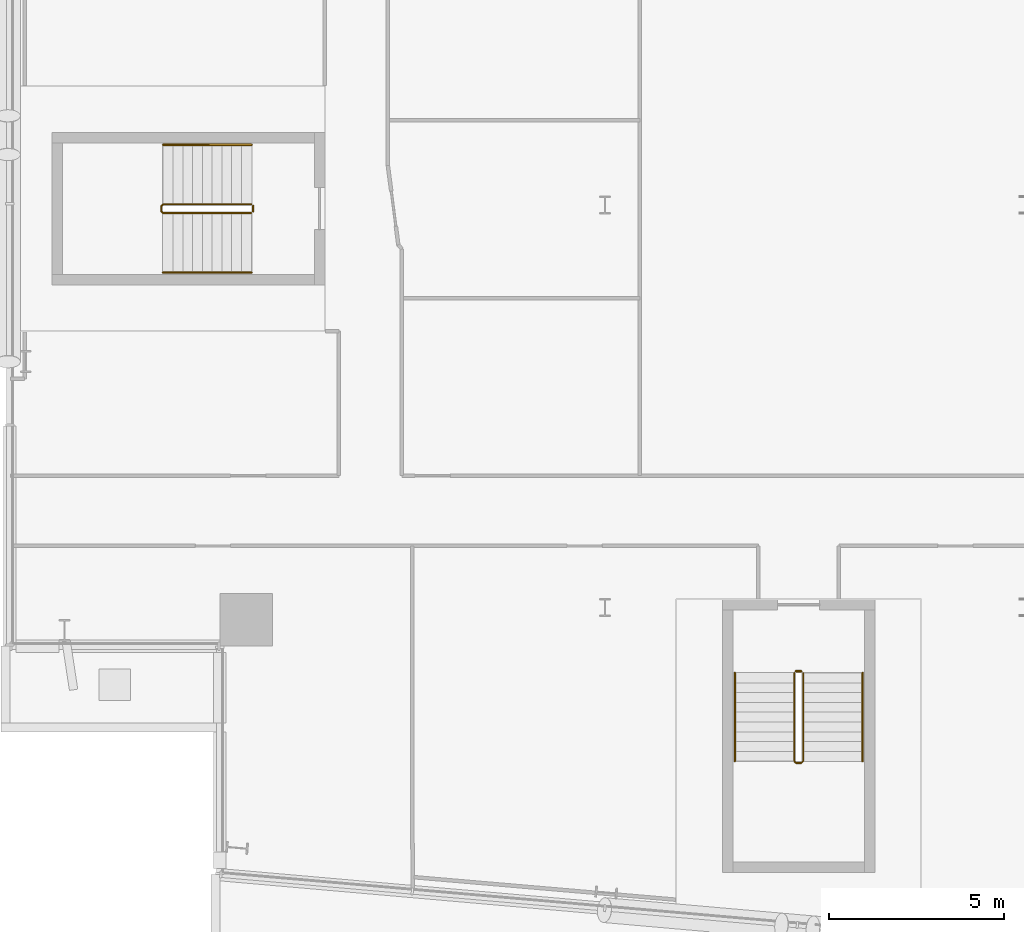
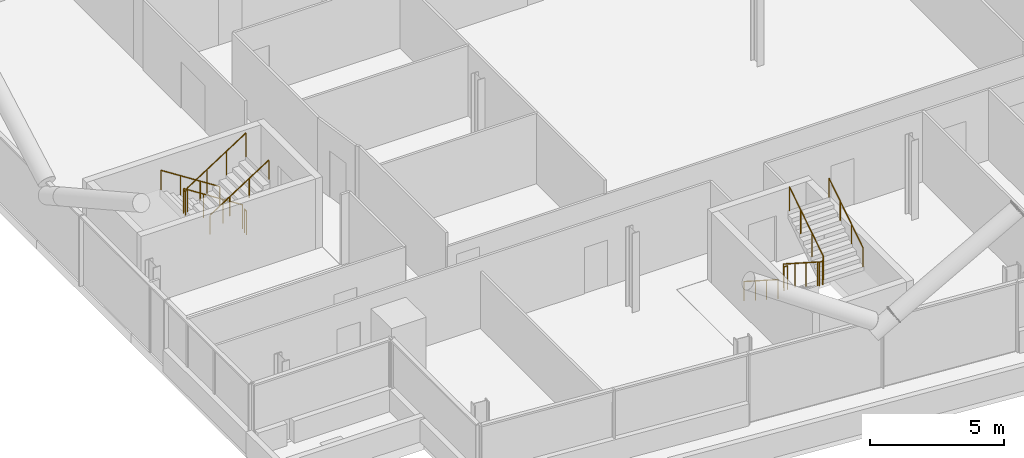
# One storey, part 27 of 30: 8 railings.
"""IFC4 building model written with IfcOpenShell, lengths in metres."""

import ifcopenshell
import ifcopenshell.guid

model = None  # the IFC model being written
_history = None  # IfcOwnerHistory: only IFC2X3 demands one
_inside = {}  # id of a spatial element -> (the spatial element, [elements in it])
_under = {}  # id of a project, library or spatial element -> (it, [spatial elements below it])
_declared = {}  # id of a project -> (the project, [libraries it declares])
_typed = {}  # id of a type object -> (the type object, [elements of that type])
_made_of = {}  # id of a material, layer set ... -> (it, [elements and type objects made of it])


def new_model(schema):
    """Start an empty IFC model of exactly this schema.

    Asked for "IFC4X3", IfcOpenShell would pick the latest addendum, in which some entities
    have other attributes; the version numbers below select the first issue.
    IFC2X3 requires an IfcOwnerHistory on every rooted entity: one is made here for all.
    """
    global model, _history
    if schema == "IFC4X3":
        model = ifcopenshell.file(schema_version=(4, 3, 0, 0))
    else:
        model = ifcopenshell.file(schema=schema)
    _inside.clear()
    _under.clear()
    _declared.clear()
    _typed.clear()
    _made_of.clear()
    _history = None
    if model.schema == "IFC2X3":
        org = make("IfcOrganization", Name="unknown")
        user = make(
            "IfcPersonAndOrganization",
            ThePerson=make("IfcPerson", FamilyName="unknown"),
            TheOrganization=org,
        )
        app = make(
            "IfcApplication",
            ApplicationDeveloper=org,
            Version="unknown",
            ApplicationFullName="unknown",
            ApplicationIdentifier="unknown",
        )
        _history = make(
            "IfcOwnerHistory",
            OwningUser=user,
            OwningApplication=app,
            ChangeAction="ADDED",
            CreationDate=0,
        )
    return model


def make(cls, **values):
    """One entity of the class cls with the attributes given. An attribute that is None is left unset."""
    return model.create_entity(
        cls, **{name: value for name, value in values.items() if value is not None}
    )


def rooted(cls, **values):
    """An entity with a GlobalId (a new one), such as an element, a storey or a relation."""
    return make(cls, GlobalId=ifcopenshell.guid.new(), OwnerHistory=_history, **values)


def si_unit(unit_type, name, prefix=None):
    """IfcSIUnit, for example si_unit("LENGTHUNIT", "METRE", prefix="MILLI")."""
    return make("IfcSIUnit", UnitType=unit_type, Prefix=prefix, Name=name)


def assignment(units):
    """IfcUnitAssignment: the units of a project."""
    return None if units is None else make("IfcUnitAssignment", Units=units)


def point(xyz):
    """IfcCartesianPoint."""
    return None if xyz is None else make("IfcCartesianPoint", Coordinates=xyz)


def direction(xyz):
    """IfcDirection."""
    return None if xyz is None else make("IfcDirection", DirectionRatios=xyz)


def frame(location, z_axis=None, x_axis=None):
    """IfcAxis2Placement3D, a coordinate frame: its origin and axes. An axis left out is left unset."""
    return make(
        "IfcAxis2Placement3D",
        Location=point(location),
        Axis=direction(z_axis),
        RefDirection=direction(x_axis),
    )


def frame_2d(location, x_axis=None):
    """IfcAxis2Placement2D, a coordinate frame in the plane: its origin and x axis."""
    return make(
        "IfcAxis2Placement2D", Location=point(location), RefDirection=direction(x_axis)
    )


def origin():
    """The frame at (0, 0, 0) with its axes left unset."""
    return frame((0.0, 0.0, 0.0))


def origin_2d():
    """The frame at (0, 0) in the plane with its x axis left unset."""
    return frame_2d((0.0, 0.0))


def place(relative_to, where):
    """IfcLocalPlacement: puts the frame where relative to a parent placement (None: the world)."""
    return make(
        "IfcLocalPlacement", PlacementRelTo=relative_to, RelativePlacement=where
    )


def context(
    kind, dimensions, precision=None, world=None, true_north=None, identifier=None
):
    """IfcGeometricRepresentationContext, for example the 3D "Model" context."""
    return make(
        "IfcGeometricRepresentationContext",
        ContextIdentifier=identifier,
        ContextType=kind,
        CoordinateSpaceDimension=dimensions,
        Precision=precision,
        WorldCoordinateSystem=world,
        TrueNorth=true_north,
    )


def subcontext(parent, identifier, kind, view, scale=None):
    """IfcGeometricRepresentationSubContext, for example "Body" below "Model"."""
    return make(
        "IfcGeometricRepresentationSubContext",
        ContextIdentifier=identifier,
        ContextType=kind,
        ParentContext=parent,
        TargetScale=scale,
        TargetView=view,
    )


def project(units=None, contexts=None):
    """IfcProject with its units and contexts."""
    return rooted(
        "IfcProject",
        Name="project",
        RepresentationContexts=contexts,
        UnitsInContext=assignment(units),
    )


def spatial(cls, under=None, at=None, **own):
    """A site, building, storey or space (cls), placed at a placement, below another one or the project."""
    s = rooted(cls, ObjectPlacement=at, **own)
    if under is not None:
        _under.setdefault(under.id(), (under, []))[1].append(s)
    return s


def profile(cls, at=None, kind="AREA", **sizes):
    """A parametric profile (cls). Its sizes go by their IFC names, for example OverallWidth=200.0."""
    return make(cls, ProfileType=kind, Position=at, **sizes)


def circle(**sizes):
    """IfcCircleProfileDef."""
    return profile("IfcCircleProfileDef", **sizes)


def extrude(swept, where, along, depth):
    """IfcExtrudedAreaSolid: the profile swept, set in the frame where, extruded along a direction by depth."""
    return make(
        "IfcExtrudedAreaSolid",
        SweptArea=swept,
        Position=where,
        ExtrudedDirection=direction(along),
        Depth=depth,
    )


def shape(context_of_items, identifier, shape_type, items):
    """IfcShapeRepresentation: the items that make up one representation, for example the "Body"."""
    return make(
        "IfcShapeRepresentation",
        ContextOfItems=context_of_items,
        RepresentationIdentifier=identifier,
        RepresentationType=shape_type,
        Items=items,
    )


def material(Name=None, Category=None):
    """IfcMaterial."""
    return make("IfcMaterial", Name=Name, Category=Category)


def made_of(thing, what):
    """Note that an element or type object is made of a material, layer set ...; save() writes the relation."""
    if what is not None:
        _made_of.setdefault(what.id(), (what, []))[1].append(thing)
    return thing


def type_object(cls, material=None, **own):
    """A type object (cls), such as IfcWallType, which elements share."""
    return made_of(rooted(cls, **own), material)


def element(
    cls,
    number,
    at=None,
    inside=None,
    cuts=None,
    type_object=None,
    material=None,
    context=None,
    identifier="Body",
    shape_type=None,
    held_by="IfcProductDefinitionShape",
    body=None,
    shapes=None,
    **own,
):
    """One element of the class cls, such as IfcWall. Its Tag is "e" and its number.

    at: its placement. inside: the storey or other place that contains it. cuts: it is an
    opening in that element (IfcRelVoidsElement). A single representation is given by context,
    identifier, shape_type and body (its items); several are given by shapes. held_by: the class
    of the entity that holds the representations. save() writes the other relations.
    """
    e = rooted(cls, Tag="e%d" % number, ObjectPlacement=at, **own)
    if body is not None:
        shapes = [shape(context, identifier, shape_type, body)]
    if shapes is not None:
        e.Representation = make(held_by, Representations=shapes)
    if inside is not None:
        _inside.setdefault(inside.id(), (inside, []))[1].append(e)
    if cuts is not None:
        rooted(
            "IfcRelVoidsElement", RelatingBuildingElement=cuts, RelatedOpeningElement=e
        )
    if type_object is not None:
        _typed.setdefault(type_object.id(), (type_object, []))[1].append(e)
    return made_of(e, material)


def aggregate(whole, parts):
    """IfcRelAggregates: a whole, such as a stair, and the parts it consists of."""
    return rooted("IfcRelAggregates", RelatingObject=whole, RelatedObjects=parts)


def save(model, path):
    """Write the relations noted so far, then the file.

    IfcRelAggregates (storeys below a building ...), IfcRelContainedInSpatialStructure (elements
    in a storey), IfcRelDefinesByType, IfcRelAssociatesMaterial and IfcRelDeclares: one each for
    every whole, place, type object, material and project.
    """
    for whole, parts in _under.values():
        aggregate(whole, parts)
    for where, things in _inside.values():
        rooted(
            "IfcRelContainedInSpatialStructure",
            RelatedElements=things,
            RelatingStructure=where,
        )
    for kind, things in _typed.values():
        rooted("IfcRelDefinesByType", RelatedObjects=things, RelatingType=kind)
    for what, things in _made_of.values():
        rooted("IfcRelAssociatesMaterial", RelatedObjects=things, RelatingMaterial=what)
    for by, libraries in _declared.values():
        rooted("IfcRelDeclares", RelatingContext=by, RelatedDefinitions=libraries)
    model.write(path)


model = new_model("IFC4")

# Units and contexts
model_context = context("Model", 3, precision=1e-05, world=origin(), true_north=direction((0.0, 1.0)))
body_context = subcontext(model_context, "Body", "Model", "MODEL_VIEW")
ifc_project = project(units=[si_unit("LENGTHUNIT", "METRE"), si_unit("AREAUNIT", "SQUARE_METRE"), si_unit("VOLUMEUNIT", "CUBIC_METRE"), si_unit("PLANEANGLEUNIT", "RADIAN"), si_unit("MASSUNIT", "GRAM", prefix="KILO")], contexts=[model_context])

# Site, building, storey
site_placement = place(None, origin())
site = spatial("IfcSite", under=ifc_project, at=site_placement, CompositionType="ELEMENT")
building_placement = place(site_placement, origin())
building = spatial("IfcBuilding", under=site, at=building_placement, Name="Wharfspan Tower", CompositionType="ELEMENT")
storey_placement = place(building_placement, frame((0.0, 0.0, 151.899902)))
storey = spatial("IfcBuildingStorey", under=building, at=storey_placement, Name="L36", CompositionType="ELEMENT", Elevation=151.899902)

# Railings
ifc_material = material(Name="Steel S355J2", Category="steel")
railing_type_1 = type_object("IfcRailingType", Name="Stair guard 1100", PredefinedType="GUARDRAIL", material=ifc_material)
railing_1_placement = place(storey_placement, frame((13.899902, 23.024902, 0.180176)))
element("IfcRailing", 1, at=railing_1_placement, inside=storey, type_object=railing_type_1, Name="L36 ST3 stair guard 1", PredefinedType="GUARDRAIL", context=body_context, shape_type="SweptSolid", body=[
    extrude(circle(Radius=0.023926, at=origin_2d()), frame((0.0, 0.0, 1.076172), z_axis=(-0.8412, 0.0, 0.540725), x_axis=(0.0, -1.0, 0.0)), (0.0, 0.0, 1.0), 2.99585),
    extrude(circle(Radius=0.023926, at=origin_2d()), frame((-2.52002, 0.0, 2.695801), z_axis=(-0.707107, -0.707107, 0.0), x_axis=(0.707107, -0.707107, 0.0)), (0.0, 0.0, 1.0), 0.070312),
    extrude(circle(Radius=0.023926, at=origin_2d()), frame((-2.569824, -0.049805, 2.695801), z_axis=(0.0, -1.0, 0.0), x_axis=(1.0, 0.0, 0.0)), (0.0, 0.0, 1.0), 0.150146),
    extrude(circle(Radius=0.023926, at=origin_2d()), frame((-2.569824, -0.199951, 2.695801), z_axis=(0.257669, -0.258932, 0.930892), x_axis=(0.708833, 0.705372, -1e-06)), (0.0, 0.0, 1.0), 0.193359),
    extrude(circle(Radius=0.023926, at=origin_2d()), frame((-2.52002, -0.25, 2.875977), z_axis=(0.841163, 0.0, 0.540782), x_axis=(0.0, 1.0, 0.0)), (0.0, 0.0, 1.0), 2.99585),
    extrude(circle(Radius=0.020996, at=origin_2d()), origin(), (0.0, 0.0, 1.0), 1.052002),
    extrude(circle(Radius=0.020996, at=origin_2d()), frame((-0.840088, 0.0, 0.540039)), (0.0, 0.0, 1.0), 1.052002),
    extrude(circle(Radius=0.020996, at=origin_2d()), frame((-1.679932, 0.0, 1.079834)), (0.0, 0.0, 1.0), 1.052002),
    extrude(circle(Radius=0.020996, at=origin_2d()), frame((-2.52002, 0.0, 1.619873)), (0.0, 0.0, 1.0), 1.052002),
    extrude(circle(Radius=0.020996, at=origin_2d()), frame((-2.569824, -0.049805, 1.619873)), (0.0, 0.0, 1.0), 1.052002),
    extrude(circle(Radius=0.020996, at=origin_2d()), frame((-2.569824, -0.199951, 1.619873)), (0.0, 0.0, 1.0), 1.052002),
    extrude(circle(Radius=0.020996, at=origin_2d()), frame((-2.52002, -0.25, 1.799805)), (0.0, 0.0, 1.0), 1.052002),
    extrude(circle(Radius=0.020996, at=origin_2d()), frame((-1.679932, -0.25, 2.339844)), (0.0, 0.0, 1.0), 1.052002),
    extrude(circle(Radius=0.020996, at=origin_2d()), frame((-0.840088, -0.25, 2.879883)), (0.0, 0.0, 1.0), 1.052002),
    extrude(circle(Radius=0.020996, at=origin_2d()), frame((0.0, -0.25, 3.419922)), (0.0, 0.0, 1.0), 1.052002),
])
railing_2_placement = place(storey_placement, frame((13.949951, 22.975098, 0.0)))
element("IfcRailing", 2, at=railing_2_placement, inside=storey, type_object=railing_type_1, Name="L36 ST3 stair guard 2", PredefinedType="GUARDRAIL", context=body_context, shape_type="SweptSolid", body=[
    extrude(circle(Radius=0.023926, at=origin_2d()), frame((0.0, 0.0, 1.076172), z_axis=(0.0, -1.0, 0.0), x_axis=(1.0, 0.0, 0.0)), (0.0, 0.0, 1.0), 0.150146),
    extrude(circle(Radius=0.020996, at=origin_2d()), origin(), (0.0, 0.0, 1.0), 1.052002),
    extrude(circle(Radius=0.020996, at=origin_2d()), frame((0.0, -0.150146, 0.0)), (0.0, 0.0, 1.0), 1.052002),
])
railing_3_placement = place(storey_placement, frame((29.414307, 9.634277, 0.180176)))
element("IfcRailing", 3, at=railing_3_placement, inside=storey, type_object=railing_type_1, Name="L36 ST4 stair guard 1", PredefinedType="GUARDRAIL", context=body_context, shape_type="SweptSolid", body=[
    extrude(circle(Radius=0.023926, at=origin_2d()), frame((0.0, 0.0, 1.076172), z_axis=(0.0, -0.8412, 0.540725), x_axis=(1.0, 0.0, 0.0)), (0.0, 0.0, 1.0), 2.99585),
    extrude(circle(Radius=0.023926, at=origin_2d()), frame((0.0, -2.52002, 2.695801), z_axis=(0.705376, -0.708834, 0.0), x_axis=(0.708834, 0.705376, 0.0)), (0.0, 0.0, 1.0), 0.070557),
    extrude(circle(Radius=0.023926, at=origin_2d()), frame((0.049805, -2.570068, 2.695801), z_axis=(1.0, 0.0, 0.0), x_axis=(0.0, 1.0, 0.0)), (0.0, 0.0, 1.0), 0.150146),
    extrude(circle(Radius=0.023926, at=origin_2d()), frame((0.199951, -2.570068, 2.695801), z_axis=(0.258848, 0.258848, 0.930589), x_axis=(-0.707107, 0.707107, 0.0)), (0.0, 0.0, 1.0), 0.193359),
    extrude(circle(Radius=0.023926, at=origin_2d()), frame((0.25, -2.52002, 2.875977), z_axis=(0.0, 0.841163, 0.540782), x_axis=(-1.0, 0.0, 0.0)), (0.0, 0.0, 1.0), 2.99585),
    extrude(circle(Radius=0.020996, at=origin_2d()), origin(), (0.0, 0.0, 1.0), 1.052002),
    extrude(circle(Radius=0.020996, at=origin_2d()), frame((0.0, -0.840088, 0.540039)), (0.0, 0.0, 1.0), 1.052002),
    extrude(circle(Radius=0.020996, at=origin_2d()), frame((0.0, -1.679932, 1.079834)), (0.0, 0.0, 1.0), 1.052002),
    extrude(circle(Radius=0.020996, at=origin_2d()), frame((0.0, -2.52002, 1.619873)), (0.0, 0.0, 1.0), 1.052002),
    extrude(circle(Radius=0.020996, at=origin_2d()), frame((0.049805, -2.570068, 1.619873)), (0.0, 0.0, 1.0), 1.052002),
    extrude(circle(Radius=0.020996, at=origin_2d()), frame((0.199951, -2.570068, 1.619873)), (0.0, 0.0, 1.0), 1.052002),
    extrude(circle(Radius=0.020996, at=origin_2d()), frame((0.25, -2.52002, 1.799805)), (0.0, 0.0, 1.0), 1.052002),
    extrude(circle(Radius=0.020996, at=origin_2d()), frame((0.25, -1.679932, 2.339844)), (0.0, 0.0, 1.0), 1.052002),
    extrude(circle(Radius=0.020996, at=origin_2d()), frame((0.25, -0.840088, 2.879883)), (0.0, 0.0, 1.0), 1.052002),
    extrude(circle(Radius=0.020996, at=origin_2d()), frame((0.25, 0.0, 3.419922)), (0.0, 0.0, 1.0), 1.052002),
])
railing_4_placement = place(storey_placement, frame((29.464111, 9.684326, 0.0)))
element("IfcRailing", 4, at=railing_4_placement, inside=storey, type_object=railing_type_1, Name="L36 ST4 stair guard 2", PredefinedType="GUARDRAIL", context=body_context, shape_type="SweptSolid", body=[
    extrude(circle(Radius=0.023926, at=origin_2d()), frame((0.0, 0.0, 1.076172), z_axis=(1.0, 0.0, 0.0), x_axis=(0.0, 1.0, 0.0)), (0.0, 0.0, 1.0), 0.150146),
    extrude(circle(Radius=0.020996, at=origin_2d()), origin(), (0.0, 0.0, 1.0), 1.052002),
    extrude(circle(Radius=0.020996, at=origin_2d()), frame((0.150146, 0.0, 0.0)), (0.0, 0.0, 1.0), 1.052002),
])
railing_type_2 = type_object("IfcRailingType", Name="Stair handrail 900", PredefinedType="HANDRAIL", material=ifc_material)
railing_5_placement = place(storey_placement, frame((13.899902, 24.725098, 0.180176)))
element("IfcRailing", 5, at=railing_5_placement, inside=storey, type_object=railing_type_2, Name="L36 ST3 stair handrail 1", PredefinedType="HANDRAIL", context=body_context, shape_type="SweptSolid", body=[
    extrude(circle(Radius=0.023926, at=origin_2d()), frame((0.0, 0.0, 0.875977), z_axis=(-0.8412, 0.0, 0.540725), x_axis=(0.0, -1.0, 0.0)), (0.0, 0.0, 1.0), 2.99585),
    extrude(circle(Radius=0.020996, at=origin_2d()), origin(), (0.0, 0.0, 1.0), 0.851807),
    extrude(circle(Radius=0.020996, at=origin_2d()), frame((-0.840088, 0.0, 0.540039)), (0.0, 0.0, 1.0), 0.851807),
    extrude(circle(Radius=0.020996, at=origin_2d()), frame((-1.679932, 0.0, 1.079834)), (0.0, 0.0, 1.0), 0.851807),
    extrude(circle(Radius=0.020996, at=origin_2d()), frame((-2.52002, 0.0, 1.619873)), (0.0, 0.0, 1.0), 0.851807),
])
railing_6_placement = place(storey_placement, frame((11.379883, 21.074951, 1.97998)))
element("IfcRailing", 6, at=railing_6_placement, inside=storey, type_object=railing_type_2, Name="L36 ST3 stair handrail 2", PredefinedType="HANDRAIL", context=body_context, shape_type="SweptSolid", body=[
    extrude(circle(Radius=0.023926, at=origin_2d()), frame((0.0, 0.0, 0.875977), z_axis=(0.841163, 0.0, 0.540782), x_axis=(0.0, 1.0, 0.0)), (0.0, 0.0, 1.0), 2.99585),
    extrude(circle(Radius=0.020996, at=origin_2d()), origin(), (0.0, 0.0, 1.0), 0.851807),
    extrude(circle(Radius=0.020996, at=origin_2d()), frame((0.840088, 0.0, 0.540039)), (0.0, 0.0, 1.0), 0.851807),
    extrude(circle(Radius=0.020996, at=origin_2d()), frame((1.679932, 0.0, 1.080078)), (0.0, 0.0, 1.0), 0.851807),
    extrude(circle(Radius=0.020996, at=origin_2d()), frame((2.52002, 0.0, 1.620117)), (0.0, 0.0, 1.0), 0.851807),
])
railing_7_placement = place(storey_placement, frame((27.714111, 9.634277, 0.180176)))
element("IfcRailing", 7, at=railing_7_placement, inside=storey, type_object=railing_type_2, Name="L36 ST4 stair handrail 1", PredefinedType="HANDRAIL", context=body_context, shape_type="SweptSolid", body=[
    extrude(circle(Radius=0.023926, at=origin_2d()), frame((0.0, 0.0, 0.875977), z_axis=(0.0, -0.8412, 0.540725), x_axis=(1.0, 0.0, 0.0)), (0.0, 0.0, 1.0), 2.99585),
    extrude(circle(Radius=0.020996, at=origin_2d()), origin(), (0.0, 0.0, 1.0), 0.851807),
    extrude(circle(Radius=0.020996, at=origin_2d()), frame((0.0, -0.840088, 0.540039)), (0.0, 0.0, 1.0), 0.851807),
    extrude(circle(Radius=0.020996, at=origin_2d()), frame((0.0, -1.679932, 1.079834)), (0.0, 0.0, 1.0), 0.851807),
    extrude(circle(Radius=0.020996, at=origin_2d()), frame((0.0, -2.52002, 1.619873)), (0.0, 0.0, 1.0), 0.851807),
])
railing_8_placement = place(storey_placement, frame((31.364258, 7.114258, 1.97998)))
element("IfcRailing", 8, at=railing_8_placement, inside=storey, type_object=railing_type_2, Name="L36 ST4 stair handrail 2", PredefinedType="HANDRAIL", context=body_context, shape_type="SweptSolid", body=[
    extrude(circle(Radius=0.023926, at=origin_2d()), frame((0.0, 0.0, 0.875977), z_axis=(0.0, 0.841163, 0.540782), x_axis=(-1.0, 0.0, 0.0)), (0.0, 0.0, 1.0), 2.99585),
    extrude(circle(Radius=0.020996, at=origin_2d()), origin(), (0.0, 0.0, 1.0), 0.851807),
    extrude(circle(Radius=0.020996, at=origin_2d()), frame((0.0, 0.840088, 0.540039)), (0.0, 0.0, 1.0), 0.851807),
    extrude(circle(Radius=0.020996, at=origin_2d()), frame((0.0, 1.679932, 1.080078)), (0.0, 0.0, 1.0), 0.851807),
    extrude(circle(Radius=0.020996, at=origin_2d()), frame((0.0, 2.52002, 1.620117)), (0.0, 0.0, 1.0), 0.851807),
])

save(model, "model.ifc")
